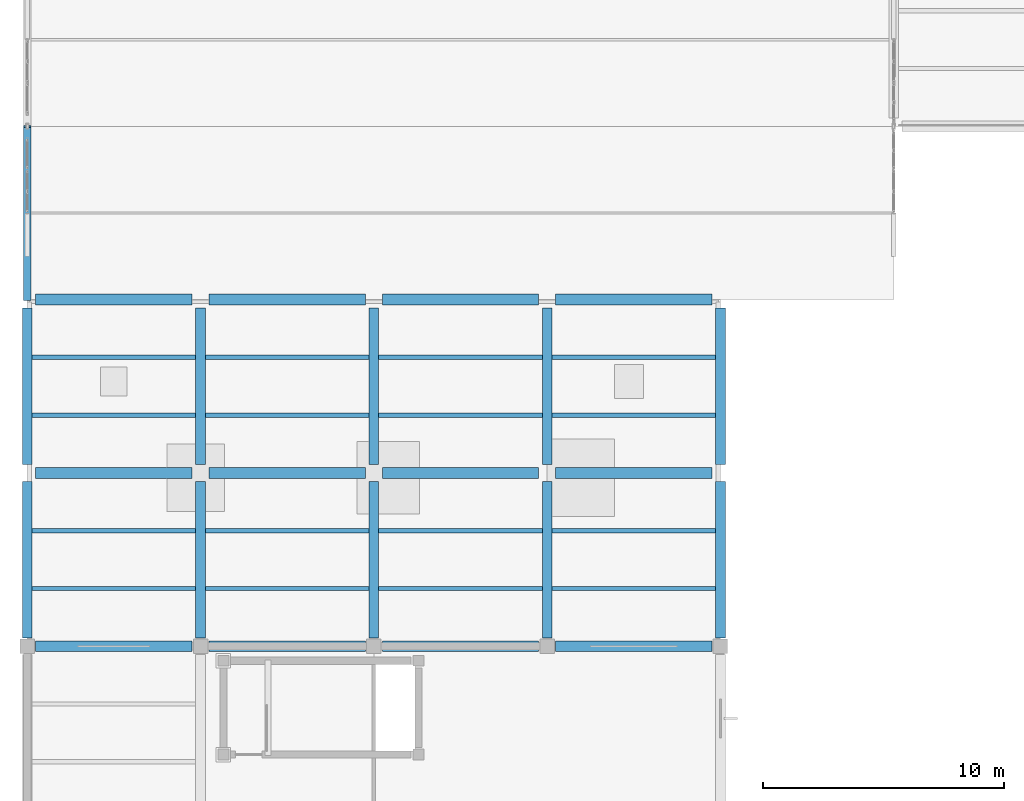
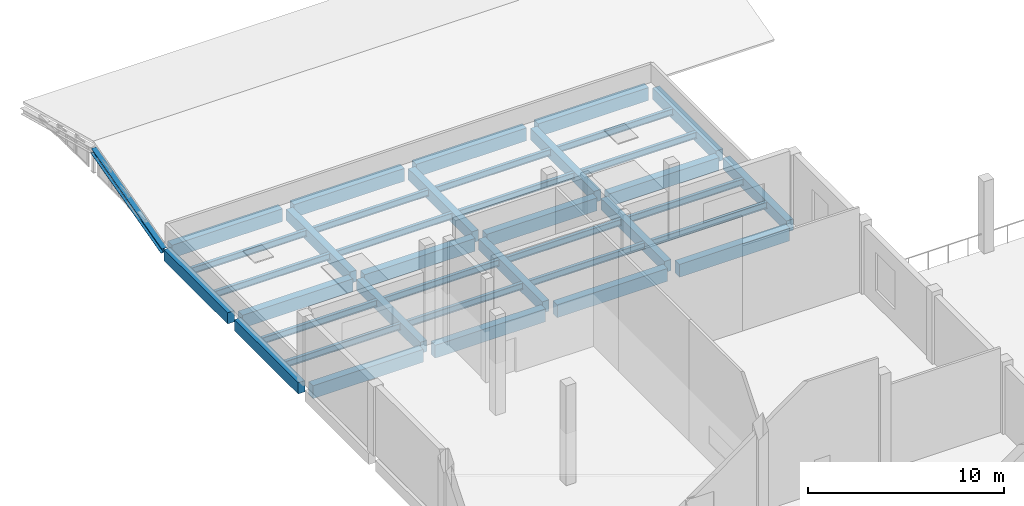
# One storey, part 16 of 105: 39 beams.
"""IFC4 building model written with IfcOpenShell, lengths in metres."""

from ifc_helpers import new_model, si_unit, direction, frame, origin, origin_2d, place, context, subcontext, project, spatial, rectangle, i_section, extrude, material, material_profile, profile_set, type_object, element, save


model = new_model("IFC4")

# Units and contexts
model_context = context("Model", 3, precision=1e-05, world=origin(), true_north=direction((0.0, 1.0)))
body_context = subcontext(model_context, "Body", "Model", "MODEL_VIEW")
ifc_project = project(units=[si_unit("LENGTHUNIT", "METRE"), si_unit("AREAUNIT", "SQUARE_METRE"), si_unit("VOLUMEUNIT", "CUBIC_METRE"), si_unit("PLANEANGLEUNIT", "RADIAN"), si_unit("MASSUNIT", "GRAM", prefix="KILO"), si_unit("THERMODYNAMICTEMPERATUREUNIT", "KELVIN"), si_unit("POWERUNIT", "WATT")], contexts=[model_context])

# Site, building, storey
site_placement = place(None, origin())
site = spatial("IfcSite", under=ifc_project, at=site_placement, CompositionType="ELEMENT")
building_placement = place(site_placement, origin())
building = spatial("IfcBuilding", under=site, at=building_placement, Name="Kaldorven Railside Theatre", CompositionType="ELEMENT")
storey_placement = place(building_placement, frame((0.0, 0.0, 9.89990234375)))
storey = spatial("IfcBuildingStorey", under=building, at=storey_placement, Name="L02", CompositionType="ELEMENT", Elevation=9.89990234375)

# Beams
ifc_material_1 = material(Name="Steel S355", Category="steel")
ifc_material_profile_1 = material_profile(ifc_material_1, i_section(OverallWidth=0.300048828125, OverallDepth=0.340087890625, WebThickness=0.011962890625, FlangeThickness=0.021484375, at=origin_2d()), Name="HEB 340")
ifc_profile_set_1 = profile_set([ifc_material_profile_1], Name="Steel S355")
beam_type_1 = type_object("IfcBeamType", Name="BM-HEB340", PredefinedType="SPANDREL", material=ifc_profile_set_1)
beam_placement = place(storey_placement, frame((8.0, 62.39990234375, -0.553466796875), z_axis=(0.0, 0.966897212801, 0.255166180904), x_axis=(-1.0, 0.0, 0.0)))
element("IfcBeam", 1, at=beam_placement, inside=storey, type_object=beam_type_1, Name="Black-Box Dual-Pitch Roof Gable Rafter RAF-161", PredefinedType="SPANDREL", context=body_context, shape_type="SweptSolid", body=[
    extrude(i_section(OverallWidth=0.300048828125, OverallDepth=0.340087890625, WebThickness=0.011962890625, FlangeThickness=0.021484375, at=origin_2d()), origin(), (0.0, 0.0, 1.0), 7.44677734375),
])
ifc_material_profile_2 = material_profile(ifc_material_1, i_section(OverallWidth=0.179931640625, OverallDepth=0.39990234375, WebThickness=0.008544921875, FlangeThickness=0.013427734375, at=origin_2d()), Name="IPE 400")
ifc_profile_set_2 = profile_set([ifc_material_profile_2], Name="Steel S355")
beam_type_2 = type_object("IfcBeamType", Name="BM-IPE400", PredefinedType="JOIST", material=ifc_profile_set_2)
for number, where, z_axis, x_axis, name in (
    (2, (8.199951171875, 50.39990234375, -0.419921875), (1.0, 0.0, 0.0), (0.0, 1.0, 0.0), "L02 Secondary Floor Joist JG-L02-008-0504"),
    (3, (8.199951171875, 52.800048828125, -0.419921875), (1.0, 0.0, 0.0), (0.0, 1.0, 0.0), "L02 Secondary Floor Joist JG-L02-008-0528"),
    (4, (15.39990234375, 50.39990234375, -0.419921875), (1.0, 0.0, 0.0), (0.0, 1.0, 0.0), "L02 Secondary Floor Joist JG-L02-015-0504"),
    (5, (15.39990234375, 52.800048828125, -0.419921875), (1.0, 0.0, 0.0), (0.0, 1.0, 0.0), "L02 Secondary Floor Joist JG-L02-015-0528"),
):
    element("IfcBeam", number, at=place(storey_placement, frame(where, z_axis=z_axis, x_axis=x_axis)), inside=storey, type_object=beam_type_2, Name=name, PredefinedType="JOIST", context=body_context, shape_type="SweptSolid", body=[
        extrude(i_section(OverallWidth=0.179931640625, OverallDepth=0.39990234375, WebThickness=0.008544921875, FlangeThickness=0.013427734375, at=origin_2d()), origin(), (0.0, 0.0, 1.0), 6.800048828125),
    ])
for number, where, z_axis, x_axis, name in (
    (6, (22.60009765625, 50.39990234375, -0.419921875), (1.0, 0.0, 0.0), (0.0, 1.0, 0.0), "L02 Secondary Floor Joist JG-L02-022-0504"),
    (7, (22.60009765625, 52.800048828125, -0.419921875), (1.0, 0.0, 0.0), (0.0, 1.0, 0.0), "L02 Secondary Floor Joist JG-L02-022-0528"),
):
    element("IfcBeam", number, at=place(storey_placement, frame(where, z_axis=z_axis, x_axis=x_axis)), inside=storey, type_object=beam_type_2, Name=name, PredefinedType="JOIST", context=body_context, shape_type="SweptSolid", body=[
        extrude(i_section(OverallWidth=0.179931640625, OverallDepth=0.39990234375, WebThickness=0.008544921875, FlangeThickness=0.013427734375, at=origin_2d()), origin(), (0.0, 0.0, 1.0), 6.7998046875),
    ])
for number, where, z_axis, x_axis, name in (
    (8, (29.800048828125, 50.39990234375, -0.419921875), (1.0, 0.0, 0.0), (0.0, 1.0, 0.0), "L02 Secondary Floor Joist JG-L02-029-0504"),
    (9, (29.800048828125, 52.800048828125, -0.419921875), (1.0, 0.0, 0.0), (0.0, 1.0, 0.0), "L02 Secondary Floor Joist JG-L02-029-0528"),
    (10, (8.199951171875, 57.60009765625, -0.419921875), (1.0, 0.0, 0.0), (0.0, 1.0, 0.0), "L02 Secondary Floor Joist JG-L02-008-0576"),
    (11, (8.199951171875, 60.0, -0.419921875), (1.0, 0.0, 0.0), (0.0, 1.0, 0.0), "L02 Secondary Floor Joist JG-L02-008-0600"),
    (12, (15.39990234375, 57.60009765625, -0.419921875), (1.0, 0.0, 0.0), (0.0, 1.0, 0.0), "L02 Secondary Floor Joist JG-L02-015-0576"),
    (13, (15.39990234375, 60.0, -0.419921875), (1.0, 0.0, 0.0), (0.0, 1.0, 0.0), "L02 Secondary Floor Joist JG-L02-015-0600"),
):
    element("IfcBeam", number, at=place(storey_placement, frame(where, z_axis=z_axis, x_axis=x_axis)), inside=storey, type_object=beam_type_2, Name=name, PredefinedType="JOIST", context=body_context, shape_type="SweptSolid", body=[
        extrude(i_section(OverallWidth=0.179931640625, OverallDepth=0.39990234375, WebThickness=0.008544921875, FlangeThickness=0.013427734375, at=origin_2d()), origin(), (0.0, 0.0, 1.0), 6.800048828125),
    ])
for number, where, z_axis, x_axis, name in (
    (14, (22.60009765625, 57.60009765625, -0.419921875), (1.0, 0.0, 0.0), (0.0, 1.0, 0.0), "L02 Secondary Floor Joist JG-L02-022-0576"),
    (15, (22.60009765625, 60.0, -0.419921875), (1.0, 0.0, 0.0), (0.0, 1.0, 0.0), "L02 Secondary Floor Joist JG-L02-022-0600"),
):
    element("IfcBeam", number, at=place(storey_placement, frame(where, z_axis=z_axis, x_axis=x_axis)), inside=storey, type_object=beam_type_2, Name=name, PredefinedType="JOIST", context=body_context, shape_type="SweptSolid", body=[
        extrude(i_section(OverallWidth=0.179931640625, OverallDepth=0.39990234375, WebThickness=0.008544921875, FlangeThickness=0.013427734375, at=origin_2d()), origin(), (0.0, 0.0, 1.0), 6.7998046875),
    ])
for number, where, z_axis, x_axis, name in (
    (16, (29.800048828125, 57.60009765625, -0.419921875), (1.0, 0.0, 0.0), (0.0, 1.0, 0.0), "L02 Secondary Floor Joist JG-L02-029-0576"),
    (17, (29.800048828125, 60.0, -0.419921875), (1.0, 0.0, 0.0), (0.0, 1.0, 0.0), "L02 Secondary Floor Joist JG-L02-029-0600"),
):
    element("IfcBeam", number, at=place(storey_placement, frame(where, z_axis=z_axis, x_axis=x_axis)), inside=storey, type_object=beam_type_2, Name=name, PredefinedType="JOIST", context=body_context, shape_type="SweptSolid", body=[
        extrude(i_section(OverallWidth=0.179931640625, OverallDepth=0.39990234375, WebThickness=0.008544921875, FlangeThickness=0.013427734375, at=origin_2d()), origin(), (0.0, 0.0, 1.0), 6.800048828125),
    ])
ifc_material_2 = material(Name="Concrete C40/50", Category="concrete")
ifc_material_profile_3 = material_profile(ifc_material_2, rectangle(XDim=0.39990234375, YDim=0.699951171875, at=origin_2d()), Name="RC 400x700")
ifc_profile_set_3 = profile_set([ifc_material_profile_3], Name="Concrete C40/50")
beam_type_3 = type_object("IfcBeamType", Name="BM-RC400x700", PredefinedType="BEAM", material=ifc_profile_set_3)
for number, where, z_axis, x_axis, name in (
    (18, (8.0, 48.35009765625, -0.56982421875), (0.0, 1.0, 0.0), (-1.0, 0.0, 0.0), "L02 Girder BGY-L02-008-048-72"),
    (19, (15.199951171875, 48.35009765625, -0.56982421875), (0.0, 1.0, 0.0), (-1.0, 0.0, 0.0), "L02 Girder BGY-L02-015-048-72"),
    (20, (22.39990234375, 48.35009765625, -0.56982421875), (0.0, 1.0, 0.0), (-1.0, 0.0, 0.0), "L02 Girder BGY-L02-022-048-72"),
    (21, (29.60009765625, 48.35009765625, -0.56982421875), (0.0, 1.0, 0.0), (-1.0, 0.0, 0.0), "L02 Girder BGY-L02-029-048-72"),
    (22, (36.800048828125, 48.35009765625, -0.56982421875), (0.0, 1.0, 0.0), (-1.0, 0.0, 0.0), "L02 Girder BGY-L02-036-048-72"),
    (23, (8.0, 55.550048828125, -0.56982421875), (0.0, 1.0, 0.0), (-1.0, 0.0, 0.0), "L02 Girder BGY-L02-008-055-72"),
    (24, (15.199951171875, 55.550048828125, -0.56982421875), (0.0, 1.0, 0.0), (-1.0, 0.0, 0.0), "L02 Girder BGY-L02-015-055-72"),
    (25, (22.39990234375, 55.550048828125, -0.56982421875), (0.0, 1.0, 0.0), (-1.0, 0.0, 0.0), "L02 Girder BGY-L02-022-055-72"),
    (26, (29.60009765625, 55.550048828125, -0.56982421875), (0.0, 1.0, 0.0), (-1.0, 0.0, 0.0), "L02 Girder BGY-L02-029-055-72"),
    (27, (36.800048828125, 55.550048828125, -0.56982421875), (0.0, 1.0, 0.0), (-1.0, 0.0, 0.0), "L02 Girder BGY-L02-036-055-72"),
):
    element("IfcBeam", number, at=place(storey_placement, frame(where, z_axis=z_axis, x_axis=x_axis)), inside=storey, type_object=beam_type_3, Name=name, PredefinedType="BEAM", context=body_context, shape_type="SweptSolid", body=[
        extrude(rectangle(XDim=0.39990234375, YDim=0.699951171875, at=origin_2d()), origin(), (0.0, 0.0, 1.0), 6.5),
    ])
ifc_material_profile_4 = material_profile(ifc_material_2, rectangle(XDim=0.449951171875, YDim=0.800048828125, at=origin_2d()), Name="RC 450x800")
ifc_profile_set_4 = profile_set([ifc_material_profile_4], Name="Concrete C40/50")
beam_type_4 = type_object("IfcBeamType", Name="BM-RC450x800", PredefinedType="BEAM", material=ifc_profile_set_4)
for number, where, z_axis, x_axis, name in (
    (28, (8.35009765625, 48.0, -0.64990234375), (1.0, 0.0, 0.0), (0.0, 1.0, 0.0), "L02 Girder BGX-L02-008-048"),
    (29, (15.550048828125, 48.0, -0.64990234375), (1.0, 0.0, 0.0), (0.0, 1.0, 0.0), "L02 Girder BGX-L02-015-048"),
    (30, (22.75, 48.0, -0.64990234375), (1.0, 0.0, 0.0), (0.0, 1.0, 0.0), "L02 Girder BGX-L02-022-048"),
    (31, (29.949951171875, 48.0, -0.64990234375), (1.0, 0.0, 0.0), (0.0, 1.0, 0.0), "L02 Girder BGX-L02-029-048"),
    (32, (8.35009765625, 55.199951171875, -0.619873046875), (1.0, 0.0, 0.0), (0.0, 1.0, 0.0), "L02 Girder BGX-L02-008-055"),
    (33, (15.550048828125, 55.199951171875, -0.619873046875), (1.0, 0.0, 0.0), (0.0, 1.0, 0.0), "L02 Girder BGX-L02-015-055"),
    (34, (22.75, 55.199951171875, -0.619873046875), (1.0, 0.0, 0.0), (0.0, 1.0, 0.0), "L02 Girder BGX-L02-022-055"),
    (35, (29.949951171875, 55.199951171875, -0.619873046875), (1.0, 0.0, 0.0), (0.0, 1.0, 0.0), "L02 Girder BGX-L02-029-055"),
    (36, (8.35009765625, 62.39990234375, -0.619873046875), (1.0, 0.0, 0.0), (0.0, 1.0, 0.0), "L02 Girder BGX-L02-008-062"),
    (37, (15.550048828125, 62.39990234375, -0.619873046875), (1.0, 0.0, 0.0), (0.0, 1.0, 0.0), "L02 Girder BGX-L02-015-062"),
    (38, (22.75, 62.39990234375, -0.619873046875), (1.0, 0.0, 0.0), (0.0, 1.0, 0.0), "L02 Girder BGX-L02-022-062"),
    (39, (29.949951171875, 62.39990234375, -0.619873046875), (1.0, 0.0, 0.0), (0.0, 1.0, 0.0), "L02 Girder BGX-L02-029-062"),
):
    element("IfcBeam", number, at=place(storey_placement, frame(where, z_axis=z_axis, x_axis=x_axis)), inside=storey, type_object=beam_type_4, Name=name, PredefinedType="BEAM", context=body_context, shape_type="SweptSolid", body=[
        extrude(rectangle(XDim=0.449951171875, YDim=0.800048828125, at=origin_2d()), origin(), (0.0, 0.0, 1.0), 6.5),
    ])

save(model, "model.ifc")
